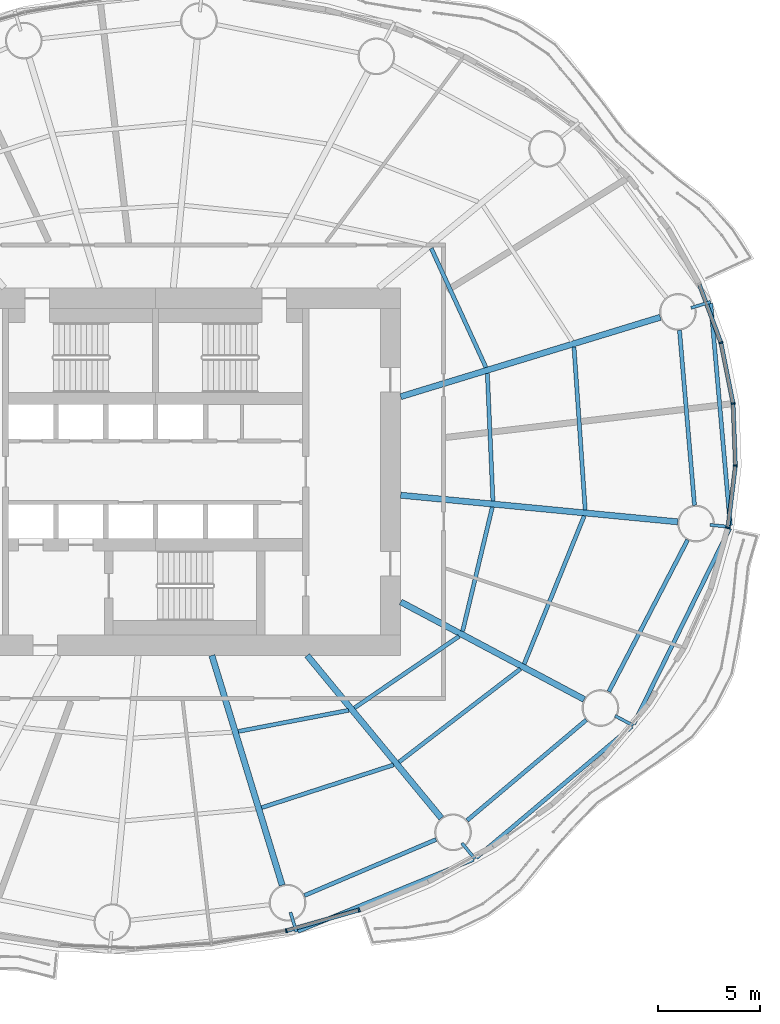
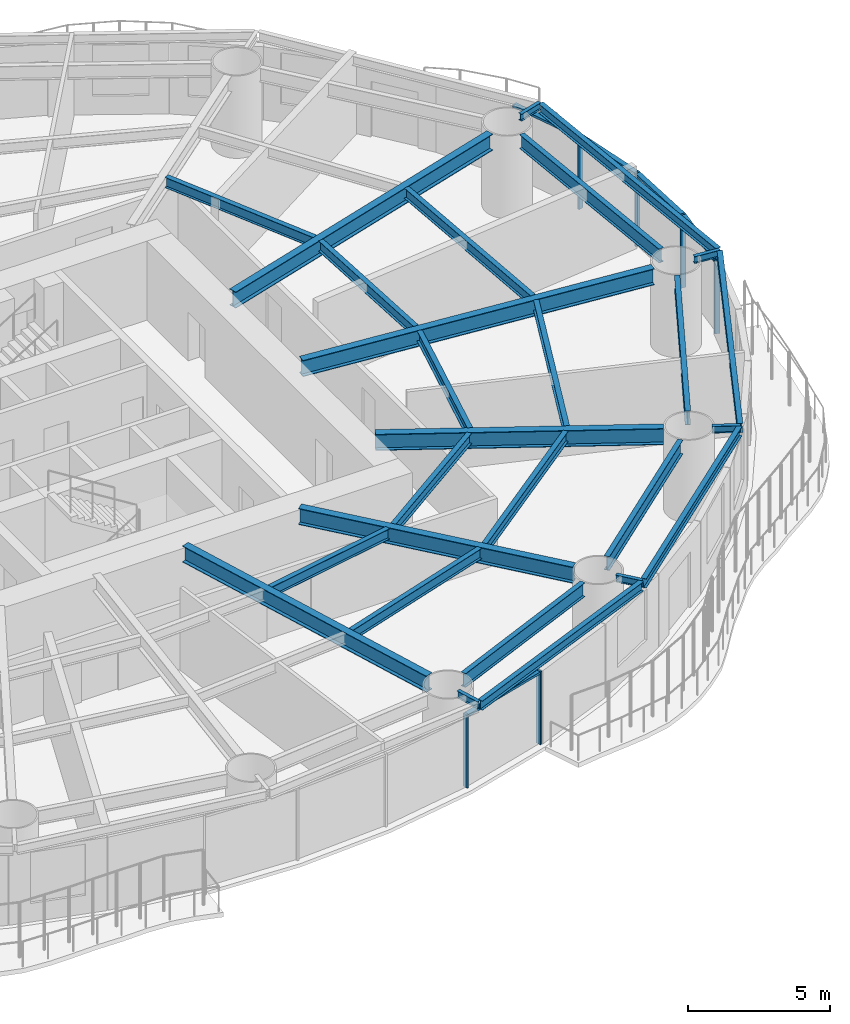
# One storey, part 4 of 16: 27 beams, 11 members, 5 elements without a shape of their own.
"""IFC4 building model written with IfcOpenShell, lengths in metres."""

import ifcopenshell
import ifcopenshell.guid

model = None  # the IFC model being written
_history = None  # IfcOwnerHistory: only IFC2X3 demands one
_inside = {}  # id of a spatial element -> (the spatial element, [elements in it])
_under = {}  # id of a project, library or spatial element -> (it, [spatial elements below it])
_declared = {}  # id of a project -> (the project, [libraries it declares])
_typed = {}  # id of a type object -> (the type object, [elements of that type])
_made_of = {}  # id of a material, layer set ... -> (it, [elements and type objects made of it])


def new_model(schema):
    """Start an empty IFC model of exactly this schema.

    Asked for "IFC4X3", IfcOpenShell would pick the latest addendum, in which some entities
    have other attributes; the version numbers below select the first issue.
    IFC2X3 requires an IfcOwnerHistory on every rooted entity: one is made here for all.
    """
    global model, _history
    if schema == "IFC4X3":
        model = ifcopenshell.file(schema_version=(4, 3, 0, 0))
    else:
        model = ifcopenshell.file(schema=schema)
    _inside.clear()
    _under.clear()
    _declared.clear()
    _typed.clear()
    _made_of.clear()
    _history = None
    if model.schema == "IFC2X3":
        org = make("IfcOrganization", Name="unknown")
        user = make(
            "IfcPersonAndOrganization",
            ThePerson=make("IfcPerson", FamilyName="unknown"),
            TheOrganization=org,
        )
        app = make(
            "IfcApplication",
            ApplicationDeveloper=org,
            Version="unknown",
            ApplicationFullName="unknown",
            ApplicationIdentifier="unknown",
        )
        _history = make(
            "IfcOwnerHistory",
            OwningUser=user,
            OwningApplication=app,
            ChangeAction="ADDED",
            CreationDate=0,
        )
    return model


def make(cls, **values):
    """One entity of the class cls with the attributes given. An attribute that is None is left unset."""
    return model.create_entity(
        cls, **{name: value for name, value in values.items() if value is not None}
    )


def rooted(cls, **values):
    """An entity with a GlobalId (a new one), such as an element, a storey or a relation."""
    return make(cls, GlobalId=ifcopenshell.guid.new(), OwnerHistory=_history, **values)


def si_unit(unit_type, name, prefix=None):
    """IfcSIUnit, for example si_unit("LENGTHUNIT", "METRE", prefix="MILLI")."""
    return make("IfcSIUnit", UnitType=unit_type, Prefix=prefix, Name=name)


def assignment(units):
    """IfcUnitAssignment: the units of a project."""
    return None if units is None else make("IfcUnitAssignment", Units=units)


def point(xyz):
    """IfcCartesianPoint."""
    return None if xyz is None else make("IfcCartesianPoint", Coordinates=xyz)


def direction(xyz):
    """IfcDirection."""
    return None if xyz is None else make("IfcDirection", DirectionRatios=xyz)


def frame(location, z_axis=None, x_axis=None):
    """IfcAxis2Placement3D, a coordinate frame: its origin and axes. An axis left out is left unset."""
    return make(
        "IfcAxis2Placement3D",
        Location=point(location),
        Axis=direction(z_axis),
        RefDirection=direction(x_axis),
    )


def frame_2d(location, x_axis=None):
    """IfcAxis2Placement2D, a coordinate frame in the plane: its origin and x axis."""
    return make(
        "IfcAxis2Placement2D", Location=point(location), RefDirection=direction(x_axis)
    )


def origin():
    """The frame at (0, 0, 0) with its axes left unset."""
    return frame((0.0, 0.0, 0.0))


def origin_2d():
    """The frame at (0, 0) in the plane with its x axis left unset."""
    return frame_2d((0.0, 0.0))


def place(relative_to, where):
    """IfcLocalPlacement: puts the frame where relative to a parent placement (None: the world)."""
    return make(
        "IfcLocalPlacement", PlacementRelTo=relative_to, RelativePlacement=where
    )


def context(
    kind, dimensions, precision=None, world=None, true_north=None, identifier=None
):
    """IfcGeometricRepresentationContext, for example the 3D "Model" context."""
    return make(
        "IfcGeometricRepresentationContext",
        ContextIdentifier=identifier,
        ContextType=kind,
        CoordinateSpaceDimension=dimensions,
        Precision=precision,
        WorldCoordinateSystem=world,
        TrueNorth=true_north,
    )


def subcontext(parent, identifier, kind, view, scale=None):
    """IfcGeometricRepresentationSubContext, for example "Body" below "Model"."""
    return make(
        "IfcGeometricRepresentationSubContext",
        ContextIdentifier=identifier,
        ContextType=kind,
        ParentContext=parent,
        TargetScale=scale,
        TargetView=view,
    )


def project(units=None, contexts=None):
    """IfcProject with its units and contexts."""
    return rooted(
        "IfcProject",
        Name="project",
        RepresentationContexts=contexts,
        UnitsInContext=assignment(units),
    )


def spatial(cls, under=None, at=None, **own):
    """A site, building, storey or space (cls), placed at a placement, below another one or the project."""
    s = rooted(cls, ObjectPlacement=at, **own)
    if under is not None:
        _under.setdefault(under.id(), (under, []))[1].append(s)
    return s


def profile(cls, at=None, kind="AREA", **sizes):
    """A parametric profile (cls). Its sizes go by their IFC names, for example OverallWidth=200.0."""
    return make(cls, ProfileType=kind, Position=at, **sizes)


def rectangle(**sizes):
    """IfcRectangleProfileDef."""
    return profile("IfcRectangleProfileDef", **sizes)


def i_section(**sizes):
    """IfcIShapeProfileDef."""
    return profile("IfcIShapeProfileDef", **sizes)


def extrude(swept, where, along, depth):
    """IfcExtrudedAreaSolid: the profile swept, set in the frame where, extruded along a direction by depth."""
    return make(
        "IfcExtrudedAreaSolid",
        SweptArea=swept,
        Position=where,
        ExtrudedDirection=direction(along),
        Depth=depth,
    )


def shape(context_of_items, identifier, shape_type, items):
    """IfcShapeRepresentation: the items that make up one representation, for example the "Body"."""
    return make(
        "IfcShapeRepresentation",
        ContextOfItems=context_of_items,
        RepresentationIdentifier=identifier,
        RepresentationType=shape_type,
        Items=items,
    )


def material(Name=None, Category=None):
    """IfcMaterial."""
    return make("IfcMaterial", Name=Name, Category=Category)


def material_profile(
    of_material, cross_section, Name=None, Category=None, Priority=None
):
    """IfcMaterialProfile: a cross section and its material."""
    return make(
        "IfcMaterialProfile",
        Name=Name,
        Material=of_material,
        Profile=cross_section,
        Priority=Priority,
        Category=Category,
    )


def profile_set(profiles, Name=None, composite=None):
    """IfcMaterialProfileSet."""
    return make(
        "IfcMaterialProfileSet",
        Name=Name,
        MaterialProfiles=profiles,
        CompositeProfile=composite,
    )


def made_of(thing, what):
    """Note that an element or type object is made of a material, layer set ...; save() writes the relation."""
    if what is not None:
        _made_of.setdefault(what.id(), (what, []))[1].append(thing)
    return thing


def type_object(cls, material=None, **own):
    """A type object (cls), such as IfcWallType, which elements share."""
    return made_of(rooted(cls, **own), material)


def element(
    cls,
    number,
    at=None,
    inside=None,
    cuts=None,
    type_object=None,
    material=None,
    context=None,
    identifier="Body",
    shape_type=None,
    held_by="IfcProductDefinitionShape",
    body=None,
    shapes=None,
    **own,
):
    """One element of the class cls, such as IfcWall. Its Tag is "e" and its number.

    at: its placement. inside: the storey or other place that contains it. cuts: it is an
    opening in that element (IfcRelVoidsElement). A single representation is given by context,
    identifier, shape_type and body (its items); several are given by shapes. held_by: the class
    of the entity that holds the representations. save() writes the other relations.
    """
    e = rooted(cls, Tag="e%d" % number, ObjectPlacement=at, **own)
    if body is not None:
        shapes = [shape(context, identifier, shape_type, body)]
    if shapes is not None:
        e.Representation = make(held_by, Representations=shapes)
    if inside is not None:
        _inside.setdefault(inside.id(), (inside, []))[1].append(e)
    if cuts is not None:
        rooted(
            "IfcRelVoidsElement", RelatingBuildingElement=cuts, RelatedOpeningElement=e
        )
    if type_object is not None:
        _typed.setdefault(type_object.id(), (type_object, []))[1].append(e)
    return made_of(e, material)


def aggregate(whole, parts):
    """IfcRelAggregates: a whole, such as a stair, and the parts it consists of."""
    return rooted("IfcRelAggregates", RelatingObject=whole, RelatedObjects=parts)


def save(model, path):
    """Write the relations noted so far, then the file.

    IfcRelAggregates (storeys below a building ...), IfcRelContainedInSpatialStructure (elements
    in a storey), IfcRelDefinesByType, IfcRelAssociatesMaterial and IfcRelDeclares: one each for
    every whole, place, type object, material and project.
    """
    for whole, parts in _under.values():
        aggregate(whole, parts)
    for where, things in _inside.values():
        rooted(
            "IfcRelContainedInSpatialStructure",
            RelatedElements=things,
            RelatingStructure=where,
        )
    for kind, things in _typed.values():
        rooted("IfcRelDefinesByType", RelatedObjects=things, RelatingType=kind)
    for what, things in _made_of.values():
        rooted("IfcRelAssociatesMaterial", RelatedObjects=things, RelatingMaterial=what)
    for by, libraries in _declared.values():
        rooted("IfcRelDeclares", RelatingContext=by, RelatedDefinitions=libraries)
    model.write(path)


model = new_model("IFC4")

# Units and contexts
model_context = context("Model", 3, precision=1e-05, world=origin(), true_north=direction((0.0, 1.0)))
body_context = subcontext(model_context, "Body", "Model", "MODEL_VIEW")
ifc_project = project(units=[si_unit("LENGTHUNIT", "METRE"), si_unit("AREAUNIT", "SQUARE_METRE"), si_unit("VOLUMEUNIT", "CUBIC_METRE"), si_unit("PLANEANGLEUNIT", "RADIAN"), si_unit("MASSUNIT", "GRAM", prefix="KILO")], contexts=[model_context])

# Site, building, storey
site_placement = place(None, origin())
site = spatial("IfcSite", under=ifc_project, at=site_placement, CompositionType="ELEMENT")
building_placement = place(site_placement, origin())
building = spatial("IfcBuilding", under=site, at=building_placement, Name="Vermilion Reach Broadcast Tower", CompositionType="ELEMENT")
storey_placement = place(building_placement, frame((0.0, 0.0, 61.89990234375)))
storey = spatial("IfcBuildingStorey", under=building, at=storey_placement, Name="L12", CompositionType="ELEMENT", Elevation=61.89990234375)

# Beams
ifc_material_1 = material(Name="Steel S355J2", Category="steel")
ifc_material_profile_1 = material_profile(ifc_material_1, i_section(OverallWidth=0.199951171875, OverallDepth=0.39990234375, WebThickness=0.008056640625, FlangeThickness=0.012939453125, at=origin_2d()), Name="S355J2 HN 400x200x8x13")
ifc_profile_set_1 = profile_set([ifc_material_profile_1], Name="Steel S355J2")
beam_type_1 = type_object("IfcBeamType", Name="EB1 HN 400x200x8x13", PredefinedType="BEAM", material=ifc_profile_set_1)
beam_1_placement = place(storey_placement, frame((0.964111328125, -22.50830078125, 3.35009765625), z_axis=(0.925469074038, 0.37882316851, 0.0), x_axis=(-0.37882316851, 0.925469074038, 0.0)))
element("IfcBeam", 1, at=beam_1_placement, inside=storey, type_object=beam_type_1, Name="Edge beam EB1-13", PredefinedType="BEAM", context=body_context, shape_type="SweptSolid", body=[
    extrude(i_section(OverallWidth=0.199951171875, OverallDepth=0.39990234375, WebThickness=0.008056640625, FlangeThickness=0.012939453125, at=origin_2d()), origin(), (0.0, 0.0, 1.0), 9.2900390625),
])
beam_2_placement = place(storey_placement, frame((9.691650390625, -18.910888671875, 3.35009765625), z_axis=(0.764238710019, 0.644933480375, 0.0), x_axis=(-0.644933480375, 0.764238710019, 0.0)))
element("IfcBeam", 2, at=beam_2_placement, inside=storey, type_object=beam_type_1, Name="Edge beam EB1-14", PredefinedType="BEAM", context=body_context, shape_type="SweptSolid", body=[
    extrude(i_section(OverallWidth=0.199951171875, OverallDepth=0.39990234375, WebThickness=0.008056640625, FlangeThickness=0.012939453125, at=origin_2d()), origin(), (0.0, 0.0, 1.0), 9.97607421875),
])
beam_3_placement = place(storey_placement, frame((17.41064453125, -12.357421875, 3.35009765625), z_axis=(0.440539111033, 0.897733419034, 0.0), x_axis=(-0.897733419034, 0.440539111033, 0.0)))
element("IfcBeam", 3, at=beam_3_placement, inside=storey, type_object=beam_type_1, Name="Edge beam EB1-15", PredefinedType="BEAM", context=body_context, shape_type="SweptSolid", body=[
    extrude(i_section(OverallWidth=0.199951171875, OverallDepth=0.39990234375, WebThickness=0.008056640625, FlangeThickness=0.012939453125, at=origin_2d()), origin(), (0.0, 0.0, 1.0), 10.67138671875),
])
beam_4_placement = place(storey_placement, frame((22.140625, -2.62939453125, 3.35009765625), z_axis=(-0.087863765386, 0.99613250059, 0.0), x_axis=(-0.99613250059, -0.087863765386, 0.0)))
element("IfcBeam", 4, at=beam_4_placement, inside=storey, type_object=beam_type_1, Name="Edge beam EB1-16", PredefinedType="BEAM", context=body_context, shape_type="SweptSolid", body=[
    extrude(i_section(OverallWidth=0.199951171875, OverallDepth=0.39990234375, WebThickness=0.008056640625, FlangeThickness=0.012939453125, at=origin_2d()), origin(), (0.0, 0.0, 1.0), 10.908935546875),
])
ifc_material_2 = material(Name="Steel S355J2", Category="steel")
ifc_material_profile_2 = material_profile(ifc_material_2, i_section(OverallWidth=0.300048828125, OverallDepth=0.699951171875, WebThickness=0.012939453125, FlangeThickness=0.02392578125, at=origin_2d()), Name="S355J2 HN 700x300x13x24")
ifc_profile_set_2 = profile_set([ifc_material_profile_2], Name="Steel S355J2")
beam_type_2 = type_object("IfcBeamType", Name="G1 HN 700x300x13x24", PredefinedType="BEAM", material=ifc_profile_set_2)
beam_5_placement = place(storey_placement, frame((6.0, 3.671142578125, 3.2001953125), z_axis=(0.956255735186, 0.292531996409, 0.0), x_axis=(-0.292531996409, 0.956255735186, 0.0)))
element("IfcBeam", 5, at=beam_5_placement, inside=storey, type_object=beam_type_2, Name="Girder G1-01", PredefinedType="BEAM", context=body_context, shape_type="SweptSolid", body=[
    extrude(i_section(OverallWidth=0.300048828125, OverallDepth=0.699951171875, WebThickness=0.012939453125, FlangeThickness=0.02392578125, at=origin_2d()), origin(), (0.0, 0.0, 1.0), 13.29638671875),
])
beam_6_placement = place(storey_placement, frame((-3.246826171875, -9.0, 3.2001953125), z_axis=(0.292542302886, -0.95625258223, 0.0), x_axis=(0.95625258223, 0.292542302886, 0.0)))
element("IfcBeam", 6, at=beam_6_placement, inside=storey, type_object=beam_type_2, Name="Girder G1-13", PredefinedType="BEAM", context=body_context, shape_type="SweptSolid", body=[
    extrude(i_section(OverallWidth=0.300048828125, OverallDepth=0.699951171875, WebThickness=0.012939453125, FlangeThickness=0.02392578125, at=origin_2d()), origin(), (0.0, 0.0, 1.0), 11.76220703125),
])
beam_7_placement = place(storey_placement, frame((1.421630859375, -9.0, 3.2001953125), z_axis=(0.636215165107, -0.77151167437, 0.0), x_axis=(0.77151167437, 0.636215165107, 0.0)))
element("IfcBeam", 7, at=beam_7_placement, inside=storey, type_object=beam_type_2, Name="Girder G1-14", PredefinedType="BEAM", context=body_context, shape_type="SweptSolid", body=[
    extrude(i_section(OverallWidth=0.300048828125, OverallDepth=0.699951171875, WebThickness=0.012939453125, FlangeThickness=0.02392578125, at=origin_2d()), origin(), (0.0, 0.0, 1.0), 10.3251953125),
])
beam_8_placement = place(storey_placement, frame((6.0, -6.3779296875, 3.2001953125), z_axis=(0.883032139419, -0.469312519279, 0.0), x_axis=(0.469312519279, 0.883032139419, 0.0)))
element("IfcBeam", 8, at=beam_8_placement, inside=storey, type_object=beam_type_2, Name="Girder G1-15", PredefinedType="BEAM", context=body_context, shape_type="SweptSolid", body=[
    extrude(i_section(OverallWidth=0.300048828125, OverallDepth=0.699951171875, WebThickness=0.012939453125, FlangeThickness=0.02392578125, at=origin_2d()), origin(), (0.0, 0.0, 1.0), 10.17529296875),
])
beam_9_placement = place(storey_placement, frame((6.0, -1.1533203125, 3.2001953125), z_axis=(0.995412178872, -0.095679643363, 0.0), x_axis=(0.095679643363, 0.995412178872, 0.0)))
element("IfcBeam", 9, at=beam_9_placement, inside=storey, type_object=beam_type_2, Name="Girder G1-16", PredefinedType="BEAM", context=body_context, shape_type="SweptSolid", body=[
    extrude(i_section(OverallWidth=0.300048828125, OverallDepth=0.699951171875, WebThickness=0.012939453125, FlangeThickness=0.02392578125, at=origin_2d()), origin(), (0.0, 0.0, 1.0), 13.630859375),
])
ifc_material_3 = material(Name="Steel S355J2", Category="steel")
ifc_material_profile_3 = material_profile(ifc_material_3, i_section(OverallWidth=0.14990234375, OverallDepth=0.300048828125, WebThickness=0.006591796875, FlangeThickness=0.009033203125, at=origin_2d()), Name="S355J2 HN 300x150x6.5x9")
ifc_profile_set_3 = profile_set([ifc_material_profile_3], Name="Steel S355J2")
beam_type_3 = type_object("IfcBeamType", Name="GS1 HN 300x150x6.5x9", PredefinedType="BEAM", material=ifc_profile_set_3)
for number, where, z_axis, x_axis, name in (
    (10, (20.21923828125, 8.02099609375, 3.400146484375), (0.95627383467, 0.292472824594, 0.0), (-0.292472824594, 0.95627383467, 0.0), "Cantilever stub GS1-01"),
    (11, (0.60205078125, -21.58056640625, 3.400146484375), (0.292472824594, -0.95627383467, 0.0), (0.95627383467, 0.292472824594, 0.0), "Cantilever stub GS1-13"),
    (12, (8.998046875, -18.187744140625, 3.400146484375), (0.636237674108, -0.771493112118, 0.0), (0.771493112118, 0.636237674108, 0.0), "Cantilever stub GS1-14"),
    (13, (16.494384765625, -11.95556640625, 3.400146484375), (0.883068299348, -0.469244476458, 0.0), (0.469244476458, 0.883068299348, 0.0), "Cantilever stub GS1-15"),
    (14, (21.15185546875, -2.609619140625, 3.400146484375), (0.995409476419, -0.095707754417, 0.0), (0.095707754417, 0.995409476419, 0.0), "Cantilever stub GS1-16"),
):
    element("IfcBeam", number, at=place(storey_placement, frame(where, z_axis=z_axis, x_axis=x_axis)), inside=storey, type_object=beam_type_3, Name=name, PredefinedType="BEAM", context=body_context, shape_type="SweptSolid", body=[
        extrude(i_section(OverallWidth=0.14990234375, OverallDepth=0.300048828125, WebThickness=0.006591796875, FlangeThickness=0.009033203125, at=origin_2d()), origin(), (0.0, 0.0, 1.0), 1.0),
    ])
ifc_material_4 = material(Name="Steel S355J2", Category="steel")
ifc_material_profile_4 = material_profile(ifc_material_4, i_section(OverallWidth=0.199951171875, OverallDepth=0.60009765625, WebThickness=0.010986328125, FlangeThickness=0.01708984375, at=origin_2d()), Name="S355J2 HN 600x200x11x17")
ifc_profile_set_4 = profile_set([ifc_material_profile_4], Name="Steel S355J2")
beam_type_4 = type_object("IfcBeamType", Name="RB1 HN 600x200x11x17", PredefinedType="BEAM", material=ifc_profile_set_4)
beam_10_placement = place(storey_placement, frame((1.28564453125, -20.755859375, 3.25), z_axis=(0.920220846584, 0.391399531825, 0.0), x_axis=(-0.391399531825, 0.920220846584, 0.0)))
element("IfcBeam", 15, at=beam_10_placement, inside=storey, type_object=beam_type_4, Name="Ring beam RB1-13", PredefinedType="BEAM", context=body_context, shape_type="SweptSolid", body=[
    extrude(i_section(OverallWidth=0.199951171875, OverallDepth=0.60009765625, WebThickness=0.010986328125, FlangeThickness=0.01708984375, at=origin_2d()), origin(), (0.0, 0.0, 1.0), 7.008544921875),
])
beam_11_placement = place(storey_placement, frame((9.251220703125, -17.080322265625, 3.25), z_axis=(0.764512441084, 0.6446089725, 0.0), x_axis=(-0.6446089725, 0.764512441084, 0.0)))
element("IfcBeam", 16, at=beam_11_placement, inside=storey, type_object=beam_type_4, Name="Ring beam RB1-14", PredefinedType="BEAM", context=body_context, shape_type="SweptSolid", body=[
    extrude(i_section(OverallWidth=0.199951171875, OverallDepth=0.60009765625, WebThickness=0.010986328125, FlangeThickness=0.01708984375, at=origin_2d()), origin(), (0.0, 0.0, 1.0), 7.6396484375),
])
beam_12_placement = place(storey_placement, frame((16.194091796875, -10.776611328125, 3.25), z_axis=(0.460411617218, 0.887705549566, 0.0), x_axis=(-0.887705549566, 0.460411617218, 0.0)))
element("IfcBeam", 17, at=beam_12_placement, inside=storey, type_object=beam_type_4, Name="Ring beam RB1-15", PredefinedType="BEAM", context=body_context, shape_type="SweptSolid", body=[
    extrude(i_section(OverallWidth=0.199951171875, OverallDepth=0.60009765625, WebThickness=0.010986328125, FlangeThickness=0.01708984375, at=origin_2d()), origin(), (0.0, 0.0, 1.0), 8.37451171875),
])
beam_13_placement = place(storey_placement, frame((20.38720703125, -1.646728515625, 3.25), z_axis=(-0.085395508608, 0.996347131832, 0.0), x_axis=(-0.996347131832, -0.085395508608, 0.0)))
element("IfcBeam", 18, at=beam_13_placement, inside=storey, type_object=beam_type_4, Name="Ring beam RB1-16", PredefinedType="BEAM", context=body_context, shape_type="SweptSolid", body=[
    extrude(i_section(OverallWidth=0.199951171875, OverallDepth=0.60009765625, WebThickness=0.010986328125, FlangeThickness=0.01708984375, at=origin_2d()), origin(), (0.0, 0.0, 1.0), 8.60546875),
])
ifc_material_5 = material(Name="Steel S355J2", Category="steel")
ifc_material_profile_5 = material_profile(ifc_material_5, i_section(OverallWidth=0.199951171875, OverallDepth=0.449951171875, WebThickness=0.009033203125, FlangeThickness=0.013916015625, at=origin_2d()), Name="S355J2 HN 450x200x9x14")
ifc_profile_set_5 = profile_set([ifc_material_profile_5], Name="Steel S355J2")
beam_type_5 = type_object("IfcBeamType", Name="SB1 HN 450x200x9x14", PredefinedType="BEAM", material=ifc_profile_set_5)
beam_14_placement = place(storey_placement, frame((10.175048828125, 5.105224609375, 3.3251953125), z_axis=(-0.417211452529, 0.908809443106, 0.0), x_axis=(-0.908809443106, -0.417211452529, 0.0)))
element("IfcBeam", 19, at=beam_14_placement, inside=storey, type_object=beam_type_5, Name="Secondary beam SB1-01-1", PredefinedType="BEAM", context=body_context, shape_type="SweptSolid", body=[
    extrude(i_section(OverallWidth=0.199951171875, OverallDepth=0.449951171875, WebThickness=0.009033203125, FlangeThickness=0.013916015625, at=origin_2d()), origin(), (0.0, 0.0, 1.0), 6.41650390625),
])
beam_15_placement = place(storey_placement, frame((-1.95166015625, -12.720703125, 3.3251953125), z_axis=(0.982151348822, 0.188092339045, 0.0), x_axis=(-0.188092339045, 0.982151348822, 0.0)))
element("IfcBeam", 20, at=beam_15_placement, inside=storey, type_object=beam_type_5, Name="Secondary beam SB1-13-1", PredefinedType="BEAM", context=body_context, shape_type="SweptSolid", body=[
    extrude(i_section(OverallWidth=0.199951171875, OverallDepth=0.449951171875, WebThickness=0.009033203125, FlangeThickness=0.013916015625, at=origin_2d()), origin(), (0.0, 0.0, 1.0), 5.4931640625),
])
beam_16_placement = place(storey_placement, frame((-0.81005859375, -16.4521484375, 3.3251953125), z_axis=(0.951332300844, 0.308166924523, 0.0), x_axis=(-0.308166924523, 0.951332300844, 0.0)))
element("IfcBeam", 21, at=beam_16_placement, inside=storey, type_object=beam_type_5, Name="Secondary beam SB1-13-2", PredefinedType="BEAM", context=body_context, shape_type="SweptSolid", body=[
    extrude(i_section(OverallWidth=0.199951171875, OverallDepth=0.449951171875, WebThickness=0.009033203125, FlangeThickness=0.013916015625, at=origin_2d()), origin(), (0.0, 0.0, 1.0), 6.787841796875),
])
beam_17_placement = place(storey_placement, frame((3.735595703125, -11.5703125, 3.3251953125), z_axis=(0.825140253447, 0.564927926502, 0.0), x_axis=(-0.564927926502, 0.825140253447, 0.0)))
element("IfcBeam", 22, at=beam_17_placement, inside=storey, type_object=beam_type_5, Name="Secondary beam SB1-14-1", PredefinedType="BEAM", context=body_context, shape_type="SweptSolid", body=[
    extrude(i_section(OverallWidth=0.199951171875, OverallDepth=0.449951171875, WebThickness=0.009033203125, FlangeThickness=0.013916015625, at=origin_2d()), origin(), (0.0, 0.0, 1.0), 6.20458984375),
])
beam_18_placement = place(storey_placement, frame((5.920166015625, -14.21923828125, 3.3251953125), z_axis=(0.793349617473, 0.60876628065, 0.0), x_axis=(-0.60876628065, 0.793349617473, 0.0)))
element("IfcBeam", 23, at=beam_18_placement, inside=storey, type_object=beam_type_5, Name="Secondary beam SB1-14-2", PredefinedType="BEAM", context=body_context, shape_type="SweptSolid", body=[
    extrude(i_section(OverallWidth=0.199951171875, OverallDepth=0.449951171875, WebThickness=0.009033203125, FlangeThickness=0.013916015625, at=origin_2d()), origin(), (0.0, 0.0, 1.0), 7.486328125),
])
beam_19_placement = place(storey_placement, frame((9.031005859375, -7.81884765625, 3.3251953125), z_axis=(0.232844467589, 0.972513986487, 0.0), x_axis=(-0.972513986487, 0.232844467589, 0.0)))
element("IfcBeam", 24, at=beam_19_placement, inside=storey, type_object=beam_type_5, Name="Secondary beam SB1-15-1", PredefinedType="BEAM", context=body_context, shape_type="SweptSolid", body=[
    extrude(i_section(OverallWidth=0.199951171875, OverallDepth=0.449951171875, WebThickness=0.009033203125, FlangeThickness=0.013916015625, at=origin_2d()), origin(), (0.0, 0.0, 1.0), 6.25537109375),
])
beam_20_placement = place(storey_placement, frame((12.046630859375, -9.421630859375, 3.3251953125), z_axis=(0.375640669938, 0.926765389453, 0.0), x_axis=(-0.926765389453, 0.375640669938, 0.0)))
element("IfcBeam", 25, at=beam_20_placement, inside=storey, type_object=beam_type_5, Name="Secondary beam SB1-15-2", PredefinedType="BEAM", context=body_context, shape_type="SweptSolid", body=[
    extrude(i_section(OverallWidth=0.199951171875, OverallDepth=0.449951171875, WebThickness=0.009033203125, FlangeThickness=0.013916015625, at=origin_2d()), origin(), (0.0, 0.0, 1.0), 7.8271484375),
])
beam_21_placement = place(storey_placement, frame((10.51611328125, -1.436767578125, 3.3251953125), z_axis=(-0.043361007512, 0.999059469215, 0.0), x_axis=(-0.999059469215, -0.043361007512, 0.0)))
element("IfcBeam", 26, at=beam_21_placement, inside=storey, type_object=beam_type_5, Name="Secondary beam SB1-16-1", PredefinedType="BEAM", context=body_context, shape_type="SweptSolid", body=[
    extrude(i_section(OverallWidth=0.199951171875, OverallDepth=0.449951171875, WebThickness=0.009033203125, FlangeThickness=0.013916015625, at=origin_2d()), origin(), (0.0, 0.0, 1.0), 6.25537109375),
])
beam_22_placement = place(storey_placement, frame((15.03515625, -1.87109375, 3.3251953125), z_axis=(-0.068507801475, 0.997650580683, 0.0), x_axis=(-0.997650580683, -0.068507801475, 0.0)))
element("IfcBeam", 27, at=beam_22_placement, inside=storey, type_object=beam_type_5, Name="Secondary beam SB1-16-2", PredefinedType="BEAM", context=body_context, shape_type="SweptSolid", body=[
    extrude(i_section(OverallWidth=0.199951171875, OverallDepth=0.449951171875, WebThickness=0.009033203125, FlangeThickness=0.013916015625, at=origin_2d()), origin(), (0.0, 0.0, 1.0), 8.00048828125),
])

# Curtain wall, member
ifc_material_6 = material(Name="Low-e laminated clear glass in aluminium frame", Category="aluminium")
curtain_wall_type = type_object("IfcCurtainWallType", Name="Slot curtain wall", PredefinedType="NOTDEFINED", material=ifc_material_6)
placement = place(storey_placement, origin())
curtain_wall_1 = element("IfcCurtainWall", 28, at=placement, inside=storey, type_object=curtain_wall_type, Name="Slot curtain wall L12 46", PredefinedType="NOTDEFINED")
ifc_material_7 = material(Name="Anodised aluminium", Category="aluminium")
ifc_material_profile_6 = material_profile(ifc_material_7, rectangle(XDim=0.199951171875, YDim=0.080078125, at=origin_2d()), Name="Slot mullion 80 x 200")
ifc_profile_set_6 = profile_set([ifc_material_profile_6], Name="Anodised aluminium")
member_type_1 = type_object("IfcMemberType", Name="Slot mullion 80 x 200", PredefinedType="MULLION", material=ifc_profile_set_6)
member_1_placement = place(storey_placement, frame((22.020263671875, -2.7490234375, 0.0), z_axis=(0.0, 0.0, 1.0), x_axis=(-0.980431506254, 0.196860512915, 0.0)))
member_1 = element("IfcMember", 29, at=member_1_placement, type_object=member_type_1, Name="Slot mullion L12 46", PredefinedType="MULLION", context=body_context, shape_type="SweptSolid", body=[
    extrude(rectangle(XDim=0.199951171875, YDim=0.080078125, at=origin_2d()), origin(), (0.0, 0.0, 1.0), 3.150146484375),
])

curtain_wall_2 = element("IfcCurtainWall", 30, at=placement, inside=storey, type_object=curtain_wall_type, Name="Slot curtain wall L12 47", PredefinedType="NOTDEFINED")
member_2_placement = place(storey_placement, frame((22.389892578125, 0.29443359375, 0.0), z_axis=(0.0, 0.0, 1.0), x_axis=(-0.999130943193, 0.041681630897, 0.0)))
member_2 = element("IfcMember", 31, at=member_2_placement, type_object=member_type_1, Name="Slot mullion L12 47", PredefinedType="MULLION", context=body_context, shape_type="SweptSolid", body=[
    extrude(rectangle(XDim=0.199951171875, YDim=0.080078125, at=origin_2d()), origin(), (0.0, 0.0, 1.0), 3.150146484375),
])

curtain_wall_3 = element("IfcCurtainWall", 32, at=placement, inside=storey, type_object=curtain_wall_type, Name="Slot curtain wall L12 00", PredefinedType="NOTDEFINED")
member_3_placement = place(storey_placement, frame((22.276123046875, 3.331787109375, 0.0), z_axis=(0.0, 0.0, 1.0), x_axis=(-0.99312985633, -0.117017470771, 0.0)))
member_3 = element("IfcMember", 33, at=member_3_placement, type_object=member_type_1, Name="Slot mullion L12 00", PredefinedType="MULLION", context=body_context, shape_type="SweptSolid", body=[
    extrude(rectangle(XDim=0.199951171875, YDim=0.080078125, at=origin_2d()), origin(), (0.0, 0.0, 1.0), 3.150146484375),
])

curtain_wall_4 = element("IfcCurtainWall", 34, at=placement, inside=storey, type_object=curtain_wall_type, Name="Slot curtain wall L12 01", PredefinedType="NOTDEFINED")
member_4_placement = place(storey_placement, frame((21.680908203125, 6.312255859375, 0.0), z_axis=(0.0, 0.0, 1.0), x_axis=(-0.962080632021, -0.27276520579, 0.0)))
member_4 = element("IfcMember", 35, at=member_4_placement, type_object=member_type_1, Name="Slot mullion L12 01", PredefinedType="MULLION", context=body_context, shape_type="SweptSolid", body=[
    extrude(rectangle(XDim=0.199951171875, YDim=0.080078125, at=origin_2d()), origin(), (0.0, 0.0, 1.0), 3.150146484375),
])

# Curtain wall, members
curtain_wall_5 = element("IfcCurtainWall", 36, at=placement, inside=storey, type_object=curtain_wall_type, Name="Slot curtain wall L12 37", PredefinedType="NOTDEFINED")
member_5_placement = place(storey_placement, frame((0.398193359375, -22.482666015625, 0.0), z_axis=(0.0, 0.0, 1.0), x_axis=(-0.223010857251, 0.97481596086, 0.0)))
member_5 = element("IfcMember", 37, at=member_5_placement, type_object=member_type_1, Name="Slot mullion L12 37", PredefinedType="MULLION", context=body_context, shape_type="SweptSolid", body=[
    extrude(rectangle(XDim=0.199951171875, YDim=0.080078125, at=origin_2d()), origin(), (0.0, 0.0, 1.0), 3.150146484375),
])
member_6_placement = place(storey_placement, frame((3.962158203125, -21.462158203125, 0.0), z_axis=(0.0, 0.0, 1.0), x_axis=(-0.327564206128, 0.944828921479, 0.0)))
member_6 = element("IfcMember", 38, at=member_6_placement, type_object=member_type_1, Name="Slot mullion L12 38", PredefinedType="MULLION", context=body_context, shape_type="SweptSolid", body=[
    extrude(rectangle(XDim=0.199951171875, YDim=0.080078125, at=origin_2d()), origin(), (0.0, 0.0, 1.0), 3.150146484375),
])

# Member
ifc_material_8 = material(Name="Anodised aluminium", Category="aluminium")
ifc_material_profile_7 = material_profile(ifc_material_8, rectangle(XDim=0.199951171875, YDim=0.10009765625, at=origin_2d()), Name="Slot transom 200 x 100")
ifc_profile_set_7 = profile_set([ifc_material_profile_7], Name="Anodised aluminium")
member_type_2 = type_object("IfcMemberType", Name="Slot transom 200 x 100", PredefinedType="USERDEFINED", material=ifc_profile_set_7)
member_7_placement = place(storey_placement, frame((22.025146484375, -2.709228515625, 3.10009765625), z_axis=(0.120612196071, 0.992699701903, 0.0), x_axis=(-0.992699701903, 0.120612196071, 0.0)))
member_7 = element("IfcMember", 39, at=member_7_placement, type_object=member_type_2, Name="Slot transom L12 46.1", ObjectType="TRANSOM", PredefinedType="USERDEFINED", context=body_context, shape_type="SweptSolid", body=[
    extrude(rectangle(XDim=0.199951171875, YDim=0.10009765625, at=origin_2d()), origin(), (0.0, 0.0, 1.0), 2.985595703125),
])

aggregate(curtain_wall_1, [member_1, member_7])

member_8_placement = place(storey_placement, frame((22.388427734375, 0.334228515625, 3.10009765625), z_axis=(-0.037451007354, 0.999298464948, 0.0), x_axis=(-0.999298464948, -0.037451007354, 0.0)))
member_8 = element("IfcMember", 40, at=member_8_placement, type_object=member_type_2, Name="Slot transom L12 47.1", ObjectType="TRANSOM", PredefinedType="USERDEFINED", context=body_context, shape_type="SweptSolid", body=[
    extrude(rectangle(XDim=0.199951171875, YDim=0.10009765625, at=origin_2d()), origin(), (0.0, 0.0, 1.0), 2.959716796875),
])

aggregate(curtain_wall_2, [member_2, member_8])

member_9_placement = place(storey_placement, frame((22.268310546875, 3.370849609375, 3.10009765625), z_axis=(-0.195830585499, 0.980637742381, 0.0), x_axis=(-0.980637742381, -0.195830585499, 0.0)))
member_9 = element("IfcMember", 41, at=member_9_placement, type_object=member_type_2, Name="Slot transom L12 00.1", ObjectType="TRANSOM", PredefinedType="USERDEFINED", context=body_context, shape_type="SweptSolid", body=[
    extrude(rectangle(XDim=0.199951171875, YDim=0.10009765625, at=origin_2d()), origin(), (0.0, 0.0, 1.0), 2.959716796875),
])

aggregate(curtain_wall_3, [member_3, member_9])

member_10_placement = place(storey_placement, frame((21.6669921875, 6.349853515625, 3.10009765625), z_axis=(-0.348012014978, 0.937490073244, 0.0), x_axis=(-0.937490073244, -0.348012014978, 0.0)))
member_10 = element("IfcMember", 42, at=member_10_placement, type_object=member_type_2, Name="Slot transom L12 01.1", ObjectType="TRANSOM", PredefinedType="USERDEFINED", context=body_context, shape_type="SweptSolid", body=[
    extrude(rectangle(XDim=0.199951171875, YDim=0.10009765625, at=origin_2d()), origin(), (0.0, 0.0, 1.0), 2.985595703125),
])

aggregate(curtain_wall_4, [member_4, member_10])

member_11_placement = place(storey_placement, frame((0.4365234375, -22.4716796875, 3.10009765625), z_axis=(0.961366324387, 0.275272211337, 0.0), x_axis=(-0.275272211337, 0.961366324387, 0.0)))
member_11 = element("IfcMember", 43, at=member_11_placement, type_object=member_type_2, Name="Slot transom L12 37.1", ObjectType="TRANSOM", PredefinedType="USERDEFINED", context=body_context, shape_type="SweptSolid", body=[
    extrude(rectangle(XDim=0.199951171875, YDim=0.10009765625, at=origin_2d()), origin(), (0.0, 0.0, 1.0), 3.62744140625),
])

aggregate(curtain_wall_5, [member_5, member_6, member_11])

save(model, "model.ifc")
